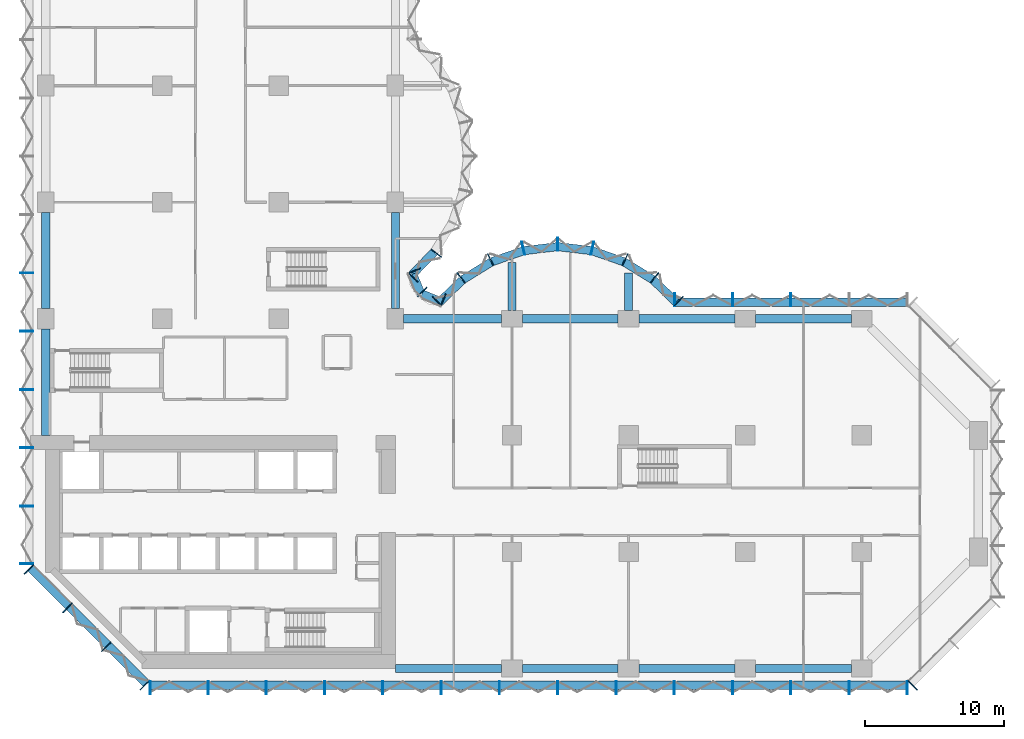
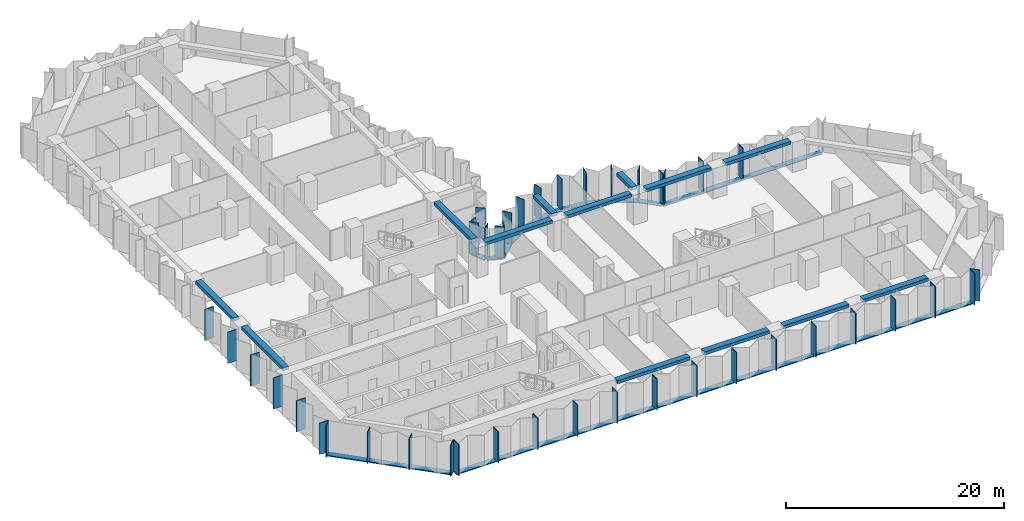
# One storey, part 2 of 15: 56 members, 13 beams, 8 elements without a shape of their own.
"""IFC4 building model written with IfcOpenShell, lengths in metres."""

from ifc_helpers import new_model, si_unit, direction, frame, origin, origin_2d, place, context, subcontext, project, spatial, rectangle, extrude, material, material_profile, profile_set, type_object, element, aggregate, save


model = new_model("IFC4")

# Units and contexts
model_context = context("Model", 3, precision=1e-05, world=origin(), true_north=direction((0.0, 1.0)))
body_context = subcontext(model_context, "Body", "Model", "MODEL_VIEW")
ifc_project = project(units=[si_unit("LENGTHUNIT", "METRE"), si_unit("AREAUNIT", "SQUARE_METRE"), si_unit("VOLUMEUNIT", "CUBIC_METRE"), si_unit("PLANEANGLEUNIT", "RADIAN"), si_unit("MASSUNIT", "GRAM", prefix="KILO")], contexts=[model_context])

# Site, building, storey
site_placement = place(None, origin())
site = spatial("IfcSite", under=ifc_project, at=site_placement, CompositionType="ELEMENT")
building_placement = place(site_placement, origin())
building = spatial("IfcBuilding", under=site, at=building_placement, Name="Brevane Broadcast Tower", CompositionType="ELEMENT")
storey_placement = place(building_placement, frame((0.0, 0.0, 65.300048828125)))
storey = spatial("IfcBuildingStorey", under=building, at=storey_placement, Name="L14", CompositionType="ELEMENT", Elevation=65.300048828125)

# Curtain wall, members
ifc_material_1 = material(Name="Aluminium 6063-T6 bronze anodised", Category="aluminium")
curtain_wall_type = type_object("IfcCurtainWallType", Name="CW-1 curtain wall", PredefinedType="NOTDEFINED", material=ifc_material_1)
curtain_wall_1_placement = place(storey_placement, origin())
curtain_wall_1 = element("IfcCurtainWall", 1, at=curtain_wall_1_placement, inside=storey, type_object=curtain_wall_type, Name="CW-1 typical tilted unit L14 south face", PredefinedType="NOTDEFINED")
ifc_material_profile_1 = material_profile(ifc_material_1, rectangle(XDim=0.949951171875, YDim=0.070068359375, at=origin_2d()), Name="RECT 70x950")
ifc_profile_set_1 = profile_set([ifc_material_profile_1], Name="Aluminium 6063-T6 bronze anodised")
member_type_1 = type_object("IfcMemberType", Name="CW-1 mullion 70x950", PredefinedType="MULLION", material=ifc_profile_set_1)
member_1_placement = place(storey_placement, frame((7.534912109375, -1.375, -0.150146484375), z_axis=(0.0, 0.0, 1.0), x_axis=(0.0, 1.0, 0.0)))
member_1 = element("IfcMember", 2, at=member_1_placement, type_object=member_type_1, Name="CW-1 mullion", PredefinedType="MULLION", context=body_context, shape_type="SweptSolid", body=[
    extrude(rectangle(XDim=0.949951171875, YDim=0.070068359375, at=origin_2d()), origin(), (0.0, 0.0, 1.0), 3.5),
])
member_2_placement = place(storey_placement, frame((11.699951171875, -1.375, -0.150146484375), z_axis=(0.0, 0.0, 1.0), x_axis=(0.0, 1.0, 0.0)))
member_2 = element("IfcMember", 3, at=member_2_placement, type_object=member_type_1, Name="CW-1 mullion", PredefinedType="MULLION", context=body_context, shape_type="SweptSolid", body=[
    extrude(rectangle(XDim=0.949951171875, YDim=0.070068359375, at=origin_2d()), origin(), (0.0, 0.0, 1.0), 3.5),
])
member_3_placement = place(storey_placement, frame((15.89990234375, -1.375, -0.150146484375), z_axis=(0.0, 0.0, 1.0), x_axis=(0.0, 1.0, 0.0)))
member_3 = element("IfcMember", 4, at=member_3_placement, type_object=member_type_1, Name="CW-1 mullion", PredefinedType="MULLION", context=body_context, shape_type="SweptSolid", body=[
    extrude(rectangle(XDim=0.949951171875, YDim=0.070068359375, at=origin_2d()), origin(), (0.0, 0.0, 1.0), 3.5),
])
member_4_placement = place(storey_placement, frame((20.10009765625, -1.375, -0.150146484375), z_axis=(0.0, 0.0, 1.0), x_axis=(0.0, 1.0, 0.0)))
member_4 = element("IfcMember", 5, at=member_4_placement, type_object=member_type_1, Name="CW-1 mullion", PredefinedType="MULLION", context=body_context, shape_type="SweptSolid", body=[
    extrude(rectangle(XDim=0.949951171875, YDim=0.070068359375, at=origin_2d()), origin(), (0.0, 0.0, 1.0), 3.5),
])
member_5_placement = place(storey_placement, frame((24.300048828125, -1.375, -0.150146484375), z_axis=(0.0, 0.0, 1.0), x_axis=(0.0, 1.0, 0.0)))
member_5 = element("IfcMember", 6, at=member_5_placement, type_object=member_type_1, Name="CW-1 mullion", PredefinedType="MULLION", context=body_context, shape_type="SweptSolid", body=[
    extrude(rectangle(XDim=0.949951171875, YDim=0.070068359375, at=origin_2d()), origin(), (0.0, 0.0, 1.0), 3.5),
])
member_6_placement = place(storey_placement, frame((28.5, -1.375, -0.150146484375), z_axis=(0.0, 0.0, 1.0), x_axis=(0.0, 1.0, 0.0)))
member_6 = element("IfcMember", 7, at=member_6_placement, type_object=member_type_1, Name="CW-1 mullion", PredefinedType="MULLION", context=body_context, shape_type="SweptSolid", body=[
    extrude(rectangle(XDim=0.949951171875, YDim=0.070068359375, at=origin_2d()), origin(), (0.0, 0.0, 1.0), 3.5),
])
member_7_placement = place(storey_placement, frame((32.699951171875, -1.375, -0.150146484375), z_axis=(0.0, 0.0, 1.0), x_axis=(0.0, 1.0, 0.0)))
member_7 = element("IfcMember", 8, at=member_7_placement, type_object=member_type_1, Name="CW-1 mullion", PredefinedType="MULLION", context=body_context, shape_type="SweptSolid", body=[
    extrude(rectangle(XDim=0.949951171875, YDim=0.070068359375, at=origin_2d()), origin(), (0.0, 0.0, 1.0), 3.5),
])
member_8_placement = place(storey_placement, frame((36.89990234375, -1.375, -0.150146484375), z_axis=(0.0, 0.0, 1.0), x_axis=(0.0, 1.0, 0.0)))
member_8 = element("IfcMember", 9, at=member_8_placement, type_object=member_type_1, Name="CW-1 mullion", PredefinedType="MULLION", context=body_context, shape_type="SweptSolid", body=[
    extrude(rectangle(XDim=0.949951171875, YDim=0.070068359375, at=origin_2d()), origin(), (0.0, 0.0, 1.0), 3.5),
])
member_9_placement = place(storey_placement, frame((41.10009765625, -1.375, -0.150146484375), z_axis=(0.0, 0.0, 1.0), x_axis=(0.0, 1.0, 0.0)))
member_9 = element("IfcMember", 10, at=member_9_placement, type_object=member_type_1, Name="CW-1 mullion", PredefinedType="MULLION", context=body_context, shape_type="SweptSolid", body=[
    extrude(rectangle(XDim=0.949951171875, YDim=0.070068359375, at=origin_2d()), origin(), (0.0, 0.0, 1.0), 3.5),
])
member_10_placement = place(storey_placement, frame((45.300048828125, -1.375, -0.150146484375), z_axis=(0.0, 0.0, 1.0), x_axis=(0.0, 1.0, 0.0)))
member_10 = element("IfcMember", 11, at=member_10_placement, type_object=member_type_1, Name="CW-1 mullion", PredefinedType="MULLION", context=body_context, shape_type="SweptSolid", body=[
    extrude(rectangle(XDim=0.949951171875, YDim=0.070068359375, at=origin_2d()), origin(), (0.0, 0.0, 1.0), 3.5),
])
member_11_placement = place(storey_placement, frame((49.5, -1.375, -0.150146484375), z_axis=(0.0, 0.0, 1.0), x_axis=(0.0, 1.0, 0.0)))
member_11 = element("IfcMember", 12, at=member_11_placement, type_object=member_type_1, Name="CW-1 mullion", PredefinedType="MULLION", context=body_context, shape_type="SweptSolid", body=[
    extrude(rectangle(XDim=0.949951171875, YDim=0.070068359375, at=origin_2d()), origin(), (0.0, 0.0, 1.0), 3.5),
])
member_12_placement = place(storey_placement, frame((53.699951171875, -1.375, -0.150146484375), z_axis=(0.0, 0.0, 1.0), x_axis=(0.0, 1.0, 0.0)))
member_12 = element("IfcMember", 13, at=member_12_placement, type_object=member_type_1, Name="CW-1 mullion", PredefinedType="MULLION", context=body_context, shape_type="SweptSolid", body=[
    extrude(rectangle(XDim=0.949951171875, YDim=0.070068359375, at=origin_2d()), origin(), (0.0, 0.0, 1.0), 3.5),
])
member_13_placement = place(storey_placement, frame((57.89990234375, -1.375, -0.150146484375), z_axis=(0.0, 0.0, 1.0), x_axis=(0.0, 1.0, 0.0)))
member_13 = element("IfcMember", 14, at=member_13_placement, type_object=member_type_1, Name="CW-1 mullion", PredefinedType="MULLION", context=body_context, shape_type="SweptSolid", body=[
    extrude(rectangle(XDim=0.949951171875, YDim=0.070068359375, at=origin_2d()), origin(), (0.0, 0.0, 1.0), 3.5),
])
member_14_placement = place(storey_placement, frame((62.06494140625, -1.375, -0.150146484375), z_axis=(0.0, 0.0, 1.0), x_axis=(0.0, 1.0, 0.0)))
member_14 = element("IfcMember", 15, at=member_14_placement, type_object=member_type_1, Name="CW-1 mullion", PredefinedType="MULLION", context=body_context, shape_type="SweptSolid", body=[
    extrude(rectangle(XDim=0.949951171875, YDim=0.070068359375, at=origin_2d()), origin(), (0.0, 0.0, 1.0), 3.5),
])

# Curtain wall, member
curtain_wall_2_placement = place(storey_placement, origin())
curtain_wall_2 = element("IfcCurtainWall", 16, at=curtain_wall_2_placement, inside=storey, type_object=curtain_wall_type, Name="CW-1 typical tilted unit L14 south-east chamfer", PredefinedType="NOTDEFINED")
member_15_placement = place(storey_placement, frame((62.460693359375, -1.211181640625, -0.150146484375), z_axis=(0.0, 0.0, 1.0), x_axis=(-0.707106781187, 0.707106781187, 0.0)))
member_15 = element("IfcMember", 17, at=member_15_placement, type_object=member_type_1, Name="CW-1 mullion", PredefinedType="MULLION", context=body_context, shape_type="SweptSolid", body=[
    extrude(rectangle(XDim=0.949951171875, YDim=0.070068359375, at=origin_2d()), origin(), (0.0, 0.0, 1.0), 3.5),
])
aggregate(curtain_wall_2, [member_15])

# Curtain wall, members
curtain_wall_3_placement = place(storey_placement, origin())
curtain_wall_3 = element("IfcCurtainWall", 18, at=curtain_wall_3_placement, inside=storey, type_object=curtain_wall_type, Name="CW-1 typical tilted unit L14 east arm north face", PredefinedType="NOTDEFINED")
member_16_placement = place(storey_placement, frame((53.699951171875, 26.574951171875, -0.150146484375), z_axis=(0.0, 0.0, 1.0), x_axis=(0.0, -1.0, 0.0)))
member_16 = element("IfcMember", 19, at=member_16_placement, type_object=member_type_1, Name="CW-1 mullion", PredefinedType="MULLION", context=body_context, shape_type="SweptSolid", body=[
    extrude(rectangle(XDim=0.949951171875, YDim=0.070068359375, at=origin_2d()), origin(), (0.0, 0.0, 1.0), 3.5),
])
member_17_placement = place(storey_placement, frame((49.5, 26.574951171875, -0.150146484375), z_axis=(0.0, 0.0, 1.0), x_axis=(0.0, -1.0, 0.0)))
member_17 = element("IfcMember", 20, at=member_17_placement, type_object=member_type_1, Name="CW-1 mullion", PredefinedType="MULLION", context=body_context, shape_type="SweptSolid", body=[
    extrude(rectangle(XDim=0.949951171875, YDim=0.070068359375, at=origin_2d()), origin(), (0.0, 0.0, 1.0), 3.5),
])
member_18_placement = place(storey_placement, frame((45.3349609375, 26.574951171875, -0.150146484375), z_axis=(0.0, 0.0, 1.0), x_axis=(0.0, -1.0, 0.0)))
member_18 = element("IfcMember", 21, at=member_18_placement, type_object=member_type_1, Name="CW-1 mullion", PredefinedType="MULLION", context=body_context, shape_type="SweptSolid", body=[
    extrude(rectangle(XDim=0.949951171875, YDim=0.070068359375, at=origin_2d()), origin(), (0.0, 0.0, 1.0), 3.5),
])

curtain_wall_4_placement = place(storey_placement, origin())
curtain_wall_4 = element("IfcCurtainWall", 22, at=curtain_wall_4_placement, inside=storey, type_object=curtain_wall_type, Name="CW-1 typical tilted unit L14 east bow", PredefinedType="NOTDEFINED")
member_19_placement = place(storey_placement, frame((45.60595703125, 26.465087890625, -0.150146484375), z_axis=(0.0, 0.0, 1.0), x_axis=(-0.696811941702, -0.717253872699, 0.0)))
member_19 = element("IfcMember", 23, at=member_19_placement, type_object=member_type_1, Name="CW-1 mullion", PredefinedType="MULLION", context=body_context, shape_type="SweptSolid", body=[
    extrude(rectangle(XDim=0.949951171875, YDim=0.070068359375, at=origin_2d()), origin(), (0.0, 0.0, 1.0), 3.5),
])
member_20_placement = place(storey_placement, frame((43.8720703125, 28.1455078125, -0.150146484375), z_axis=(0.0, 0.0, 1.0), x_axis=(-0.614769738617, -0.788706642853, 0.0)))
member_20 = element("IfcMember", 24, at=member_20_placement, type_object=member_type_1, Name="CW-1 mullion", PredefinedType="MULLION", context=body_context, shape_type="SweptSolid", body=[
    extrude(rectangle(XDim=0.949951171875, YDim=0.070068359375, at=origin_2d()), origin(), (0.0, 0.0, 1.0), 3.5),
])
member_21_placement = place(storey_placement, frame((41.746826171875, 29.4580078125, -0.150146484375), z_axis=(0.0, 0.0, 1.0), x_axis=(-0.429933601163, -0.902860508933, 0.0)))
member_21 = element("IfcMember", 25, at=member_21_placement, type_object=member_type_1, Name="CW-1 mullion", PredefinedType="MULLION", context=body_context, shape_type="SweptSolid", body=[
    extrude(rectangle(XDim=0.949951171875, YDim=0.070068359375, at=origin_2d()), origin(), (0.0, 0.0, 1.0), 3.5),
])
member_22_placement = place(storey_placement, frame((39.38818359375, 30.28076171875, -0.150146484375), z_axis=(0.0, 0.0, 1.0), x_axis=(-0.224806482215, -0.974403430594, 0.0)))
member_22 = element("IfcMember", 26, at=member_22_placement, type_object=member_type_1, Name="CW-1 mullion", PredefinedType="MULLION", context=body_context, shape_type="SweptSolid", body=[
    extrude(rectangle(XDim=0.949951171875, YDim=0.070068359375, at=origin_2d()), origin(), (0.0, 0.0, 1.0), 3.5),
])
member_23_placement = place(storey_placement, frame((36.89990234375, 30.574951171875, -0.150146484375), z_axis=(0.0, 0.0, 1.0), x_axis=(0.0, -1.0, 0.0)))
member_23 = element("IfcMember", 27, at=member_23_placement, type_object=member_type_1, Name="CW-1 mullion", PredefinedType="MULLION", context=body_context, shape_type="SweptSolid", body=[
    extrude(rectangle(XDim=0.949951171875, YDim=0.070068359375, at=origin_2d()), origin(), (0.0, 0.0, 1.0), 3.5),
])
member_24_placement = place(storey_placement, frame((34.411865234375, 30.28076171875, -0.150146484375), z_axis=(0.0, 0.0, 1.0), x_axis=(0.224806482215, -0.974403430594, 0.0)))
member_24 = element("IfcMember", 28, at=member_24_placement, type_object=member_type_1, Name="CW-1 mullion", PredefinedType="MULLION", context=body_context, shape_type="SweptSolid", body=[
    extrude(rectangle(XDim=0.949951171875, YDim=0.070068359375, at=origin_2d()), origin(), (0.0, 0.0, 1.0), 3.5),
])
member_25_placement = place(storey_placement, frame((32.05322265625, 29.4580078125, -0.150146484375), z_axis=(0.0, 0.0, 1.0), x_axis=(0.429933601163, -0.902860508933, 0.0)))
member_25 = element("IfcMember", 29, at=member_25_placement, type_object=member_type_1, Name="CW-1 mullion", PredefinedType="MULLION", context=body_context, shape_type="SweptSolid", body=[
    extrude(rectangle(XDim=0.949951171875, YDim=0.070068359375, at=origin_2d()), origin(), (0.0, 0.0, 1.0), 3.5),
])
member_26_placement = place(storey_placement, frame((29.927978515625, 28.1455078125, -0.150146484375), z_axis=(0.0, 0.0, 1.0), x_axis=(0.614769738617, -0.788706642853, 0.0)))
member_26 = element("IfcMember", 30, at=member_26_placement, type_object=member_type_1, Name="CW-1 mullion", PredefinedType="MULLION", context=body_context, shape_type="SweptSolid", body=[
    extrude(rectangle(XDim=0.949951171875, YDim=0.070068359375, at=origin_2d()), origin(), (0.0, 0.0, 1.0), 3.5),
])
member_27_placement = place(storey_placement, frame((28.194091796875, 26.465087890625, -0.150146484375), z_axis=(0.0, 0.0, 1.0), x_axis=(0.696811941702, -0.717253872699, 0.0)))
member_27 = element("IfcMember", 31, at=member_27_placement, type_object=member_type_1, Name="CW-1 mullion", PredefinedType="MULLION", context=body_context, shape_type="SweptSolid", body=[
    extrude(rectangle(XDim=0.949951171875, YDim=0.070068359375, at=origin_2d()), origin(), (0.0, 0.0, 1.0), 3.5),
])

curtain_wall_5_placement = place(storey_placement, origin())
curtain_wall_5 = element("IfcCurtainWall", 32, at=curtain_wall_5_placement, inside=storey, type_object=curtain_wall_type, Name="CW-1 typical tilted unit L14 inner corner", PredefinedType="NOTDEFINED")
member_28_placement = place(storey_placement, frame((28.6494140625, 26.55224609375, -0.150146484375), z_axis=(0.0, 0.0, 1.0), x_axis=(-0.382683612978, -0.923879457699, 0.0)))
member_28 = element("IfcMember", 33, at=member_28_placement, type_object=member_type_1, Name="CW-1 mullion", PredefinedType="MULLION", context=body_context, shape_type="SweptSolid", body=[
    extrude(rectangle(XDim=0.949951171875, YDim=0.070068359375, at=origin_2d()), origin(), (0.0, 0.0, 1.0), 3.5),
])
member_29_placement = place(storey_placement, frame((27.138916015625, 27.138916015625, -0.150146484375), z_axis=(0.0, 0.0, 1.0), x_axis=(-0.707106781187, -0.707106781187, 0.0)))
member_29 = element("IfcMember", 34, at=member_29_placement, type_object=member_type_1, Name="CW-1 mullion", PredefinedType="MULLION", context=body_context, shape_type="SweptSolid", body=[
    extrude(rectangle(XDim=0.949951171875, YDim=0.070068359375, at=origin_2d()), origin(), (0.0, 0.0, 1.0), 3.5),
])
member_30_placement = place(storey_placement, frame((26.55224609375, 28.6494140625, -0.150146484375), z_axis=(0.0, 0.0, 1.0), x_axis=(-0.923879457699, -0.382683612978, 0.0)))
member_30 = element("IfcMember", 35, at=member_30_placement, type_object=member_type_1, Name="CW-1 mullion", PredefinedType="MULLION", context=body_context, shape_type="SweptSolid", body=[
    extrude(rectangle(XDim=0.949951171875, YDim=0.070068359375, at=origin_2d()), origin(), (0.0, 0.0, 1.0), 3.5),
])

curtain_wall_6_placement = place(storey_placement, origin())
curtain_wall_6 = element("IfcCurtainWall", 36, at=curtain_wall_6_placement, inside=storey, type_object=curtain_wall_type, Name="CW-1 typical tilted unit L14 north bow", PredefinedType="NOTDEFINED")
member_31_placement = place(storey_placement, frame((26.465087890625, 28.194091796875, -0.150146484375), z_axis=(0.0, 0.0, 1.0), x_axis=(-0.717253872699, 0.696811941702, 0.0)))
member_31 = element("IfcMember", 37, at=member_31_placement, type_object=member_type_1, Name="CW-1 mullion", PredefinedType="MULLION", context=body_context, shape_type="SweptSolid", body=[
    extrude(rectangle(XDim=0.949951171875, YDim=0.070068359375, at=origin_2d()), origin(), (0.0, 0.0, 1.0), 3.5),
])
member_32_placement = place(storey_placement, frame((28.1455078125, 29.927978515625, -0.150146484375), z_axis=(0.0, 0.0, 1.0), x_axis=(-0.788706642853, 0.614769738617, 0.0)))
member_32 = element("IfcMember", 38, at=member_32_placement, type_object=member_type_1, Name="CW-1 mullion", PredefinedType="MULLION", context=body_context, shape_type="SweptSolid", body=[
    extrude(rectangle(XDim=0.949951171875, YDim=0.070068359375, at=origin_2d()), origin(), (0.0, 0.0, 1.0), 3.5),
])

curtain_wall_7_placement = place(storey_placement, origin())
curtain_wall_7 = element("IfcCurtainWall", 39, at=curtain_wall_7_placement, inside=storey, type_object=curtain_wall_type, Name="CW-1 typical tilted unit L14 west face", PredefinedType="NOTDEFINED")
member_33_placement = place(storey_placement, frame((-1.375, 28.5, -0.150146484375), z_axis=(0.0, 0.0, 1.0), x_axis=(1.0, 0.0, 0.0)))
member_33 = element("IfcMember", 40, at=member_33_placement, type_object=member_type_1, Name="CW-1 mullion", PredefinedType="MULLION", context=body_context, shape_type="SweptSolid", body=[
    extrude(rectangle(XDim=0.949951171875, YDim=0.070068359375, at=origin_2d()), origin(), (0.0, 0.0, 1.0), 3.5),
])
member_34_placement = place(storey_placement, frame((-1.375, 24.300048828125, -0.150146484375), z_axis=(0.0, 0.0, 1.0), x_axis=(1.0, 0.0, 0.0)))
member_34 = element("IfcMember", 41, at=member_34_placement, type_object=member_type_1, Name="CW-1 mullion", PredefinedType="MULLION", context=body_context, shape_type="SweptSolid", body=[
    extrude(rectangle(XDim=0.949951171875, YDim=0.070068359375, at=origin_2d()), origin(), (0.0, 0.0, 1.0), 3.5),
])
member_35_placement = place(storey_placement, frame((-1.375, 20.10009765625, -0.150146484375), z_axis=(0.0, 0.0, 1.0), x_axis=(1.0, 0.0, 0.0)))
member_35 = element("IfcMember", 42, at=member_35_placement, type_object=member_type_1, Name="CW-1 mullion", PredefinedType="MULLION", context=body_context, shape_type="SweptSolid", body=[
    extrude(rectangle(XDim=0.949951171875, YDim=0.070068359375, at=origin_2d()), origin(), (0.0, 0.0, 1.0), 3.5),
])
member_36_placement = place(storey_placement, frame((-1.375, 15.89990234375, -0.150146484375), z_axis=(0.0, 0.0, 1.0), x_axis=(1.0, 0.0, 0.0)))
member_36 = element("IfcMember", 43, at=member_36_placement, type_object=member_type_1, Name="CW-1 mullion", PredefinedType="MULLION", context=body_context, shape_type="SweptSolid", body=[
    extrude(rectangle(XDim=0.949951171875, YDim=0.070068359375, at=origin_2d()), origin(), (0.0, 0.0, 1.0), 3.5),
])
member_37_placement = place(storey_placement, frame((-1.375, 11.699951171875, -0.150146484375), z_axis=(0.0, 0.0, 1.0), x_axis=(1.0, 0.0, 0.0)))
member_37 = element("IfcMember", 44, at=member_37_placement, type_object=member_type_1, Name="CW-1 mullion", PredefinedType="MULLION", context=body_context, shape_type="SweptSolid", body=[
    extrude(rectangle(XDim=0.949951171875, YDim=0.070068359375, at=origin_2d()), origin(), (0.0, 0.0, 1.0), 3.5),
])
member_38_placement = place(storey_placement, frame((-1.375, 7.534912109375, -0.150146484375), z_axis=(0.0, 0.0, 1.0), x_axis=(1.0, 0.0, 0.0)))
member_38 = element("IfcMember", 45, at=member_38_placement, type_object=member_type_1, Name="CW-1 mullion", PredefinedType="MULLION", context=body_context, shape_type="SweptSolid", body=[
    extrude(rectangle(XDim=0.949951171875, YDim=0.070068359375, at=origin_2d()), origin(), (0.0, 0.0, 1.0), 3.5),
])
aggregate(curtain_wall_7, [member_33, member_34, member_35, member_36, member_37, member_38])

curtain_wall_8_placement = place(storey_placement, origin())
curtain_wall_8 = element("IfcCurtainWall", 46, at=curtain_wall_8_placement, inside=storey, type_object=curtain_wall_type, Name="CW-1 typical tilted unit L14 south-west chamfer", PredefinedType="NOTDEFINED")
member_39_placement = place(storey_placement, frame((-1.211181640625, 7.139404296875, -0.150146484375), z_axis=(0.0, 0.0, 1.0), x_axis=(0.707106781187, 0.707106781187, 0.0)))
member_39 = element("IfcMember", 47, at=member_39_placement, type_object=member_type_1, Name="CW-1 mullion", PredefinedType="MULLION", context=body_context, shape_type="SweptSolid", body=[
    extrude(rectangle(XDim=0.949951171875, YDim=0.070068359375, at=origin_2d()), origin(), (0.0, 0.0, 1.0), 3.5),
])
member_40_placement = place(storey_placement, frame((1.564208984375, 4.364013671875, -0.150146484375), z_axis=(0.0, 0.0, 1.0), x_axis=(0.707106781187, 0.707106781187, 0.0)))
member_40 = element("IfcMember", 48, at=member_40_placement, type_object=member_type_1, Name="CW-1 mullion", PredefinedType="MULLION", context=body_context, shape_type="SweptSolid", body=[
    extrude(rectangle(XDim=0.949951171875, YDim=0.070068359375, at=origin_2d()), origin(), (0.0, 0.0, 1.0), 3.5),
])
member_41_placement = place(storey_placement, frame((4.364013671875, 1.564208984375, -0.150146484375), z_axis=(0.0, 0.0, 1.0), x_axis=(0.707106781187, 0.707106781187, 0.0)))
member_41 = element("IfcMember", 49, at=member_41_placement, type_object=member_type_1, Name="CW-1 mullion", PredefinedType="MULLION", context=body_context, shape_type="SweptSolid", body=[
    extrude(rectangle(XDim=0.949951171875, YDim=0.070068359375, at=origin_2d()), origin(), (0.0, 0.0, 1.0), 3.5),
])
member_42_placement = place(storey_placement, frame((7.139404296875, -1.211181640625, -0.150146484375), z_axis=(0.0, 0.0, 1.0), x_axis=(0.707106781187, 0.707106781187, 0.0)))
member_42 = element("IfcMember", 50, at=member_42_placement, type_object=member_type_1, Name="CW-1 mullion", PredefinedType="MULLION", context=body_context, shape_type="SweptSolid", body=[
    extrude(rectangle(XDim=0.949951171875, YDim=0.070068359375, at=origin_2d()), origin(), (0.0, 0.0, 1.0), 3.5),
])

# Member
ifc_material_profile_2 = material_profile(ifc_material_1, rectangle(XDim=0.60009765625, YDim=0.10009765625, at=origin_2d()), Name="RECT 100x600")
ifc_profile_set_2 = profile_set([ifc_material_profile_2], Name="Aluminium 6063-T6 bronze anodised")
member_type_2 = type_object("IfcMemberType", Name="CW-1 transom 100x600", PredefinedType="USERDEFINED", material=ifc_profile_set_2)
member_43_placement = place(storey_placement, frame((7.5, -1.199951171875, -0.199951171875), z_axis=(1.0, 0.0, 0.0), x_axis=(0.0, 1.0, 0.0)))
member_43 = element("IfcMember", 51, at=member_43_placement, type_object=member_type_2, Name="CW-1 transom", ObjectType="TRANSOM", PredefinedType="USERDEFINED", context=body_context, shape_type="SweptSolid", body=[
    extrude(rectangle(XDim=0.60009765625, YDim=0.10009765625, at=origin_2d()), origin(), (0.0, 0.0, 1.0), 54.60009765625),
])

aggregate(curtain_wall_1, [member_1, member_2, member_3, member_4, member_5, member_6, member_7, member_8, member_9, member_10, member_11, member_12, member_13, member_14, member_43])

member_44_placement = place(storey_placement, frame((62.10009765625, 26.39990234375, -0.199951171875), z_axis=(-1.0, 0.0, 0.0), x_axis=(0.0, -1.0, 0.0)))
member_44 = element("IfcMember", 52, at=member_44_placement, type_object=member_type_2, Name="CW-1 transom", ObjectType="TRANSOM", PredefinedType="USERDEFINED", context=body_context, shape_type="SweptSolid", body=[
    extrude(rectangle(XDim=0.60009765625, YDim=0.10009765625, at=origin_2d()), origin(), (0.0, 0.0, 1.0), 16.800048828125),
])

aggregate(curtain_wall_3, [member_16, member_17, member_18, member_44])

member_45_placement = place(storey_placement, frame((45.412841796875, 26.407958984375, -0.199951171875), z_axis=(-0.71724215871, 0.696823999134, 0.0), x_axis=(-0.696823999134, -0.71724215871, 0.0)))
member_45 = element("IfcMember", 53, at=member_45_placement, type_object=member_type_2, Name="CW-1 transom", ObjectType="TRANSOM", PredefinedType="USERDEFINED", context=body_context, shape_type="SweptSolid", body=[
    extrude(rectangle(XDim=0.60009765625, YDim=0.10009765625, at=origin_2d()), origin(), (0.0, 0.0, 1.0), 2.247802734375),
])

member_46_placement = place(storey_placement, frame((43.7421875, 28.023193359375, -0.199951171875), z_axis=(-0.850810063131, 0.525473345162, 0.0), x_axis=(-0.525473345162, -0.850810063131, 0.0)))
member_46 = element("IfcMember", 54, at=member_46_placement, type_object=member_type_2, Name="CW-1 transom", ObjectType="TRANSOM", PredefinedType="USERDEFINED", context=body_context, shape_type="SweptSolid", body=[
    extrude(rectangle(XDim=0.60009765625, YDim=0.10009765625, at=origin_2d()), origin(), (0.0, 0.0, 1.0), 2.39453125),
])

member_47_placement = place(storey_placement, frame((41.63623046875, 29.314208984375, -0.199951171875), z_axis=(-0.944197969542, 0.329378497041, 0.0), x_axis=(-0.329378497041, -0.944197969542, 0.0)))
member_47 = element("IfcMember", 55, at=member_47_placement, type_object=member_type_2, Name="CW-1 transom", ObjectType="TRANSOM", PredefinedType="USERDEFINED", context=body_context, shape_type="SweptSolid", body=[
    extrude(rectangle(XDim=0.60009765625, YDim=0.10009765625, at=origin_2d()), origin(), (0.0, 0.0, 1.0), 2.394775390625),
])

member_48_placement = place(storey_placement, frame((39.30029296875, 30.117431640625, -0.199951171875), z_axis=(-0.993062061831, 0.117591417, 0.0), x_axis=(-0.117591417, -0.993062061831, 0.0)))
member_48 = element("IfcMember", 56, at=member_48_placement, type_object=member_type_2, Name="CW-1 transom", ObjectType="TRANSOM", PredefinedType="USERDEFINED", context=body_context, shape_type="SweptSolid", body=[
    extrude(rectangle(XDim=0.60009765625, YDim=0.10009765625, at=origin_2d()), origin(), (0.0, 0.0, 1.0), 2.39794921875),
])

member_49_placement = place(storey_placement, frame((36.880859375, 30.3994140625, -0.199951171875), z_axis=(-0.993060653805, -0.117603307202, 0.0), x_axis=(0.117603307202, -0.993060653805, 0.0)))
member_49 = element("IfcMember", 57, at=member_49_placement, type_object=member_type_2, Name="CW-1 transom", ObjectType="TRANSOM", PredefinedType="USERDEFINED", context=body_context, shape_type="SweptSolid", body=[
    extrude(rectangle(XDim=0.60009765625, YDim=0.10009765625, at=origin_2d()), origin(), (0.0, 0.0, 1.0), 2.397705078125),
])

member_50_placement = place(storey_placement, frame((34.425048828125, 30.10302734375, -0.199951171875), z_axis=(-0.944197969542, -0.329378497041, 0.0), x_axis=(0.329378497041, -0.944197969542, 0.0)))
member_50 = element("IfcMember", 58, at=member_50_placement, type_object=member_type_2, Name="CW-1 transom", ObjectType="TRANSOM", PredefinedType="USERDEFINED", context=body_context, shape_type="SweptSolid", body=[
    extrude(rectangle(XDim=0.60009765625, YDim=0.10009765625, at=origin_2d()), origin(), (0.0, 0.0, 1.0), 2.394775390625),
])

member_51_placement = place(storey_placement, frame((32.09521484375, 29.281494140625, -0.199951171875), z_axis=(-0.850838211365, -0.525427766759, 0.0), x_axis=(0.525427766759, -0.850838211365, 0.0)))
member_51 = element("IfcMember", 59, at=member_51_placement, type_object=member_type_2, Name="CW-1 transom", ObjectType="TRANSOM", PredefinedType="USERDEFINED", context=body_context, shape_type="SweptSolid", body=[
    extrude(rectangle(XDim=0.60009765625, YDim=0.10009765625, at=origin_2d()), origin(), (0.0, 0.0, 1.0), 2.394775390625),
])

member_52_placement = place(storey_placement, frame((29.99951171875, 27.974365234375, -0.199951171875), z_axis=(-0.71724215871, -0.696823999134, 0.0), x_axis=(0.696823999134, -0.71724215871, 0.0)))
member_52 = element("IfcMember", 60, at=member_52_placement, type_object=member_type_2, Name="CW-1 transom", ObjectType="TRANSOM", PredefinedType="USERDEFINED", context=body_context, shape_type="SweptSolid", body=[
    extrude(rectangle(XDim=0.60009765625, YDim=0.10009765625, at=origin_2d()), origin(), (0.0, 0.0, 1.0), 2.247802734375),
])

aggregate(curtain_wall_4, [member_19, member_20, member_21, member_22, member_23, member_24, member_25, member_26, member_27, member_45, member_46, member_47, member_48, member_49, member_50, member_51, member_52])

member_53_placement = place(storey_placement, frame((28.528076171875, 26.40673828125, -0.199951171875), z_axis=(-0.923883243627, 0.382674472816, 0.0), x_axis=(-0.382674472816, -0.923883243627, 0.0)))
member_53 = element("IfcMember", 61, at=member_53_placement, type_object=member_type_2, Name="CW-1 transom", ObjectType="TRANSOM", PredefinedType="USERDEFINED", context=body_context, shape_type="SweptSolid", body=[
    extrude(rectangle(XDim=0.60009765625, YDim=0.10009765625, at=origin_2d()), origin(), (0.0, 0.0, 1.0), 1.536865234375),
])

member_54_placement = place(storey_placement, frame((27.039794921875, 27.0, -0.199951171875), z_axis=(-0.382674472816, 0.923883243627, 0.0), x_axis=(-0.923883243627, -0.382674472816, 0.0)))
member_54 = element("IfcMember", 62, at=member_54_placement, type_object=member_type_2, Name="CW-1 transom", ObjectType="TRANSOM", PredefinedType="USERDEFINED", context=body_context, shape_type="SweptSolid", body=[
    extrude(rectangle(XDim=0.60009765625, YDim=0.10009765625, at=origin_2d()), origin(), (0.0, 0.0, 1.0), 1.536865234375),
])

aggregate(curtain_wall_5, [member_28, member_29, member_30, member_53, member_54])

member_55_placement = place(storey_placement, frame((26.407958984375, 28.38720703125, -0.199951171875), z_axis=(0.696823999134, 0.71724215871, 0.0), x_axis=(-0.71724215871, 0.696823999134, 0.0)))
member_55 = element("IfcMember", 63, at=member_55_placement, type_object=member_type_2, Name="CW-1 transom", ObjectType="TRANSOM", PredefinedType="USERDEFINED", context=body_context, shape_type="SweptSolid", body=[
    extrude(rectangle(XDim=0.60009765625, YDim=0.10009765625, at=origin_2d()), origin(), (0.0, 0.0, 1.0), 2.247802734375),
])

aggregate(curtain_wall_6, [member_31, member_32, member_55])

member_56_placement = place(storey_placement, frame((-1.112060546875, 7.287841796875, -0.199951171875), z_axis=(0.707106781187, -0.707106781187, 0.0), x_axis=(0.707106781187, 0.707106781187, 0.0)))
member_56 = element("IfcMember", 64, at=member_56_placement, type_object=member_type_2, Name="CW-1 transom", ObjectType="TRANSOM", PredefinedType="USERDEFINED", context=body_context, shape_type="SweptSolid", body=[
    extrude(rectangle(XDim=0.60009765625, YDim=0.10009765625, at=origin_2d()), origin(), (0.0, 0.0, 1.0), 11.879150390625),
])

aggregate(curtain_wall_8, [member_39, member_40, member_41, member_42, member_56])

# Beams
ifc_material_2 = material(Name="Concrete C40/50", Category="concrete")
ifc_material_profile_3 = material_profile(ifc_material_2, rectangle(XDim=0.60009765625, YDim=0.35009765625, at=origin_2d()), Name="RC 600x350")
ifc_profile_set_3 = profile_set([ifc_material_profile_3], Name="Concrete C40/50")
beam_type_1 = type_object("IfcBeamType", Name="RC BRACKET BEAM 600x350 C40/50", PredefinedType="BEAM", material=ifc_profile_set_3)
beam_1_placement = place(storey_placement, frame((33.60009765625, 25.800048828125, 3.175048828125), z_axis=(0.0, 1.0, 0.0), x_axis=(-1.0, 0.0, 0.0)))
element("IfcBeam", 65, at=beam_1_placement, inside=storey, type_object=beam_type_1, Name="EB2 L14-3", PredefinedType="BEAM", context=body_context, shape_type="SweptSolid", body=[
    extrude(rectangle(XDim=0.60009765625, YDim=0.35009765625, at=origin_2d()), origin(), (0.0, 0.0, 1.0), 3.4619140625),
])
beam_2_placement = place(storey_placement, frame((42.0, 25.800048828125, 3.175048828125), z_axis=(0.0, 1.0, 0.0), x_axis=(-1.0, 0.0, 0.0)))
element("IfcBeam", 66, at=beam_2_placement, inside=storey, type_object=beam_type_1, Name="EB2 L14-4", PredefinedType="BEAM", context=body_context, shape_type="SweptSolid", body=[
    extrude(rectangle(XDim=0.60009765625, YDim=0.35009765625, at=origin_2d()), origin(), (0.0, 0.0, 1.0), 2.71142578125),
])
ifc_material_profile_4 = material_profile(ifc_material_2, rectangle(XDim=0.60009765625, YDim=0.35009765625, at=origin_2d()), Name="RC 600x350")
ifc_profile_set_4 = profile_set([ifc_material_profile_4], Name="Concrete C40/50")
beam_type_2 = type_object("IfcBeamType", Name="RC SPANDREL BEAM 600x350 C40/50", PredefinedType="SPANDREL", material=ifc_profile_set_4)
beam_3_placement = place(storey_placement, frame((25.199951171875, 0.0, 3.175048828125), z_axis=(1.0, 0.0, 0.0), x_axis=(0.0, 1.0, 0.0)))
element("IfcBeam", 67, at=beam_3_placement, inside=storey, type_object=beam_type_2, Name="EB1 L14-1", PredefinedType="SPANDREL", context=body_context, shape_type="SweptSolid", body=[
    extrude(rectangle(XDim=0.60009765625, YDim=0.35009765625, at=origin_2d()), origin(), (0.0, 0.0, 1.0), 7.650146484375),
])
for number, where, z_axis, x_axis, name in (
    (68, (34.35009765625, 0.0, 3.175048828125), (1.0, 0.0, 0.0), (0.0, 1.0, 0.0), "EB1 L14-2"),
    (69, (42.75, 0.0, 3.175048828125), (1.0, 0.0, 0.0), (0.0, 1.0, 0.0), "EB1 L14-3"),
):
    element("IfcBeam", number, at=place(storey_placement, frame(where, z_axis=z_axis, x_axis=x_axis)), inside=storey, type_object=beam_type_2, Name=name, PredefinedType="SPANDREL", context=body_context, shape_type="SweptSolid", body=[
        extrude(rectangle(XDim=0.60009765625, YDim=0.35009765625, at=origin_2d()), origin(), (0.0, 0.0, 1.0), 6.89990234375),
    ])
for number, where, z_axis, x_axis, name in (
    (70, (51.14990234375, 0.0, 3.175048828125), (1.0, 0.0, 0.0), (0.0, 1.0, 0.0), "EB1 L14-4"),
    (71, (58.050048828125, 25.199951171875, 3.175048828125), (-1.0, 0.0, 0.0), (0.0, -1.0, 0.0), "EB1 L14-8"),
):
    element("IfcBeam", number, at=place(storey_placement, frame(where, z_axis=z_axis, x_axis=x_axis)), inside=storey, type_object=beam_type_2, Name=name, PredefinedType="SPANDREL", context=body_context, shape_type="SweptSolid", body=[
        extrude(rectangle(XDim=0.60009765625, YDim=0.35009765625, at=origin_2d()), origin(), (0.0, 0.0, 1.0), 6.900146484375),
    ])
for number, where, z_axis, x_axis, name in (
    (72, (49.64990234375, 25.199951171875, 3.175048828125), (-1.0, 0.0, 0.0), (0.0, -1.0, 0.0), "EB1 L14-9"),
    (73, (41.25, 25.199951171875, 3.175048828125), (-1.0, 0.0, 0.0), (0.0, -1.0, 0.0), "EB1 L14-10"),
):
    element("IfcBeam", number, at=place(storey_placement, frame(where, z_axis=z_axis, x_axis=x_axis)), inside=storey, type_object=beam_type_2, Name=name, PredefinedType="SPANDREL", context=body_context, shape_type="SweptSolid", body=[
        extrude(rectangle(XDim=0.60009765625, YDim=0.35009765625, at=origin_2d()), origin(), (0.0, 0.0, 1.0), 6.89990234375),
    ])
beam_4_placement = place(storey_placement, frame((32.85009765625, 25.199951171875, 3.175048828125), z_axis=(-1.0, 0.0, 0.0), x_axis=(0.0, -1.0, 0.0)))
element("IfcBeam", 74, at=beam_4_placement, inside=storey, type_object=beam_type_2, Name="EB1 L14-11", PredefinedType="SPANDREL", context=body_context, shape_type="SweptSolid", body=[
    extrude(rectangle(XDim=0.60009765625, YDim=0.35009765625, at=origin_2d()), origin(), (0.0, 0.0, 1.0), 7.050048828125),
])
for number, where, z_axis, x_axis, name in (
    (75, (25.199951171875, 25.949951171875, 3.175048828125), (0.0, 1.0, 0.0), (-1.0, 0.0, 0.0), "EB1 L14-12"),
    (76, (0.0, 32.85009765625, 3.175048828125), (0.0, -1.0, 0.0), (1.0, 0.0, 0.0), "EB1 L14-22"),
):
    element("IfcBeam", number, at=place(storey_placement, frame(where, z_axis=z_axis, x_axis=x_axis)), inside=storey, type_object=beam_type_2, Name=name, PredefinedType="SPANDREL", context=body_context, shape_type="SweptSolid", body=[
        extrude(rectangle(XDim=0.60009765625, YDim=0.35009765625, at=origin_2d()), origin(), (0.0, 0.0, 1.0), 6.900146484375),
    ])
beam_5_placement = place(storey_placement, frame((0.0, 24.449951171875, 3.175048828125), z_axis=(0.0, -1.0, 0.0), x_axis=(1.0, 0.0, 0.0)))
element("IfcBeam", 77, at=beam_5_placement, inside=storey, type_object=beam_type_2, Name="EB1 L14-23", PredefinedType="SPANDREL", context=body_context, shape_type="SweptSolid", body=[
    extrude(rectangle(XDim=0.60009765625, YDim=0.35009765625, at=origin_2d()), origin(), (0.0, 0.0, 1.0), 7.64990234375),
])

save(model, "model.ifc")
